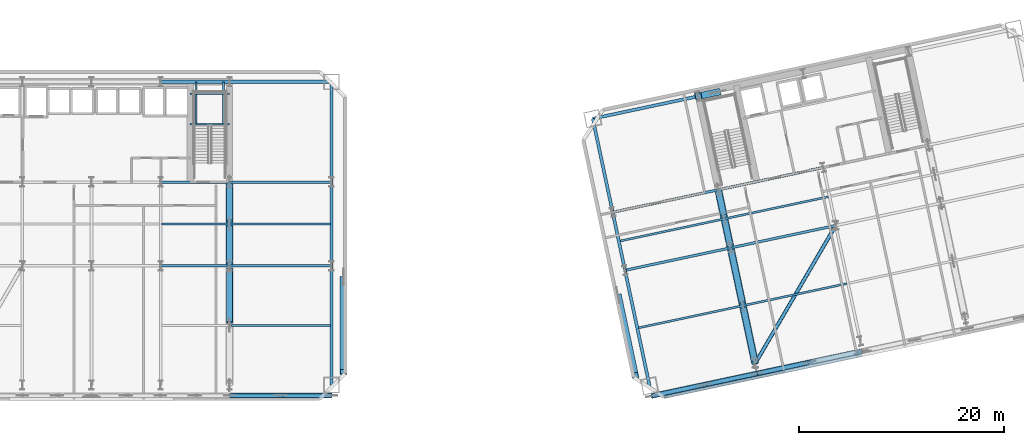
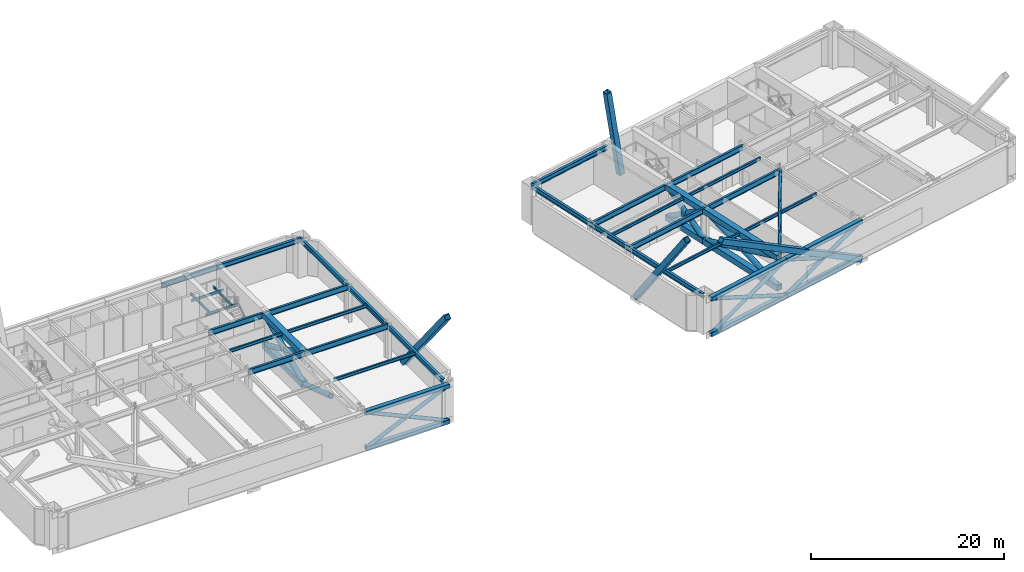
# One storey, part 4 of 17: 35 members, 28 beams.
"""IFC4 building model written with IfcOpenShell, lengths in metres."""

from ifc_helpers import new_model, si_unit, direction, frame, origin, origin_2d, place, context, subcontext, project, spatial, hollow_rectangle, hollow_circle, i_section, extrude, material, material_profile, profile_set, type_object, element, save


model = new_model("IFC4")

# Units and contexts
model_context = context("Model", 3, precision=1e-05, world=origin(), true_north=direction((0.0, 1.0)))
body_context = subcontext(model_context, "Body", "Model", "MODEL_VIEW")
ifc_project = project(units=[si_unit("LENGTHUNIT", "METRE"), si_unit("AREAUNIT", "SQUARE_METRE"), si_unit("VOLUMEUNIT", "CUBIC_METRE"), si_unit("PLANEANGLEUNIT", "RADIAN"), si_unit("MASSUNIT", "GRAM", prefix="KILO")], contexts=[model_context])

# Site, building, storey
site_placement = place(None, origin())
site = spatial("IfcSite", under=ifc_project, at=site_placement, CompositionType="ELEMENT")
building_placement = place(site_placement, origin())
building = spatial("IfcBuilding", under=site, at=building_placement, Name="Haevon Station Towers", CompositionType="ELEMENT")
storey_placement = place(building_placement, frame((0.0, 0.0, 81.89990234375)))
storey = spatial("IfcBuildingStorey", under=building, at=storey_placement, Name="L21", CompositionType="ELEMENT", Elevation=81.89990234375)

# Beams
ifc_material_1 = material(Name="Steel S355", Category="steel")
ifc_material_profile_1 = material_profile(ifc_material_1, i_section(OverallWidth=0.25, OverallDepth=0.699951171875, WebThickness=0.012939453125, FlangeThickness=0.02392578125, at=origin_2d()), Name="H-700x250x13x24")
ifc_profile_set_1 = profile_set([ifc_material_profile_1], Name="Steel S355")
beam_type_1 = type_object("IfcBeamType", Name="BM-G700", PredefinedType="BEAM", material=ifc_profile_set_1)
beam_1_placement = place(storey_placement, frame((44.25, 30.0, 4.2001953125), z_axis=(1.0, 0.0, 0.0), x_axis=(0.0, 1.0, 0.0)))
element("IfcBeam", 1, at=beam_1_placement, inside=storey, type_object=beam_type_1, Name="BM-T1U-L21-02-05", PredefinedType="BEAM", context=body_context, shape_type="SweptSolid", body=[
    extrude(i_section(OverallWidth=0.25, OverallDepth=0.699951171875, WebThickness=0.012939453125, FlangeThickness=0.02392578125, at=origin_2d()), origin(), (0.0, 0.0, 1.0), 6.75),
])
beam_2_placement = place(storey_placement, frame((51.0, 30.0, 4.2001953125), z_axis=(1.0, 0.0, 0.0), x_axis=(0.0, 1.0, 0.0)))
element("IfcBeam", 2, at=beam_2_placement, inside=storey, type_object=beam_type_1, Name="BM-T1U-L21-02-06", PredefinedType="BEAM", context=body_context, shape_type="SweptSolid", body=[
    extrude(i_section(OverallWidth=0.25, OverallDepth=0.699951171875, WebThickness=0.012939453125, FlangeThickness=0.02392578125, at=origin_2d()), origin(), (0.0, 0.0, 1.0), 9.949951171875),
])
beam_3_placement = place(storey_placement, frame((44.25, 38.199951171875, 4.2001953125), z_axis=(1.0, 0.0, 0.0), x_axis=(0.0, 1.0, 0.0)))
element("IfcBeam", 3, at=beam_3_placement, inside=storey, type_object=beam_type_1, Name="BM-T1U-L21-03-05", PredefinedType="BEAM", context=body_context, shape_type="SweptSolid", body=[
    extrude(i_section(OverallWidth=0.25, OverallDepth=0.699951171875, WebThickness=0.012939453125, FlangeThickness=0.02392578125, at=origin_2d()), origin(), (0.0, 0.0, 1.0), 6.75),
])
beam_4_placement = place(storey_placement, frame((51.0, 38.199951171875, 4.2001953125), z_axis=(1.0, 0.0, 0.0), x_axis=(0.0, 1.0, 0.0)))
element("IfcBeam", 4, at=beam_4_placement, inside=storey, type_object=beam_type_1, Name="BM-T1U-L21-03-06", PredefinedType="BEAM", context=body_context, shape_type="SweptSolid", body=[
    extrude(i_section(OverallWidth=0.25, OverallDepth=0.699951171875, WebThickness=0.012939453125, FlangeThickness=0.02392578125, at=origin_2d()), origin(), (0.0, 0.0, 1.0), 9.949951171875),
])
beam_5_placement = place(storey_placement, frame((89.638671875, 29.57568359375, 4.2001953125), z_axis=(0.978150204601, 0.207899440208, 0.0), x_axis=(-0.207899440208, 0.978150204601, 0.0)))
element("IfcBeam", 5, at=beam_5_placement, inside=storey, type_object=beam_type_1, Name="BM-T2U-L21-02-01", PredefinedType="BEAM", context=body_context, shape_type="SweptSolid", body=[
    extrude(i_section(OverallWidth=0.25, OverallDepth=0.699951171875, WebThickness=0.012939453125, FlangeThickness=0.02392578125, at=origin_2d()), origin(), (0.0, 0.0, 1.0), 10.550048828125),
])
beam_6_placement = place(storey_placement, frame((99.958251953125, 31.76904296875, 4.2001953125), z_axis=(0.978146794194, 0.207915485254, 0.0), x_axis=(-0.207915485254, 0.978146794194, 0.0)))
element("IfcBeam", 6, at=beam_6_placement, inside=storey, type_object=beam_type_1, Name="BM-T2U-L21-02-02", PredefinedType="BEAM", context=body_context, shape_type="SweptSolid", body=[
    extrude(i_section(OverallWidth=0.25, OverallDepth=0.699951171875, WebThickness=0.012939453125, FlangeThickness=0.02392578125, at=origin_2d()), origin(), (0.0, 0.0, 1.0), 10.5),
])
beam_7_placement = place(storey_placement, frame((88.432861328125, 35.2490234375, 4.2001953125), z_axis=(0.978150204601, 0.207899440208, 0.0), x_axis=(-0.207899440208, 0.978150204601, 0.0)))
element("IfcBeam", 7, at=beam_7_placement, inside=storey, type_object=beam_type_1, Name="BM-T2U-L21-03-01", PredefinedType="BEAM", context=body_context, shape_type="SweptSolid", body=[
    extrude(i_section(OverallWidth=0.25, OverallDepth=0.699951171875, WebThickness=0.012939453125, FlangeThickness=0.02392578125, at=origin_2d()), origin(), (0.0, 0.0, 1.0), 10.550048828125),
])
beam_8_placement = place(storey_placement, frame((98.75244140625, 37.4423828125, 4.2001953125), z_axis=(0.978146794194, 0.207915485254, 0.0), x_axis=(-0.207915485254, 0.978146794194, 0.0)))
element("IfcBeam", 8, at=beam_8_placement, inside=storey, type_object=beam_type_1, Name="BM-T2U-L21-03-02", PredefinedType="BEAM", context=body_context, shape_type="SweptSolid", body=[
    extrude(i_section(OverallWidth=0.25, OverallDepth=0.699951171875, WebThickness=0.012939453125, FlangeThickness=0.02392578125, at=origin_2d()), origin(), (0.0, 0.0, 1.0), 10.5),
])
ifc_material_profile_2 = material_profile(ifc_material_1, i_section(OverallWidth=0.199951171875, OverallDepth=0.39990234375, WebThickness=0.008056640625, FlangeThickness=0.012939453125, at=origin_2d()), Name="H-400x200x8x13")
ifc_profile_set_2 = profile_set([ifc_material_profile_2], Name="Steel S355")
beam_type_2 = type_object("IfcBeamType", Name="BM-J400", PredefinedType="JOIST", material=ifc_profile_set_2)
beam_9_placement = place(storey_placement, frame((51.110107421875, 24.175048828125, 4.35009765625), z_axis=(1.0, 0.0, 0.0), x_axis=(0.0, 1.0, 0.0)))
element("IfcBeam", 9, at=beam_9_placement, inside=storey, type_object=beam_type_2, Name="BM-T1J-L21-01-06", PredefinedType="JOIST", context=body_context, shape_type="SweptSolid", body=[
    extrude(i_section(OverallWidth=0.199951171875, OverallDepth=0.39990234375, WebThickness=0.008056640625, FlangeThickness=0.012939453125, at=origin_2d()), origin(), (0.0, 0.0, 1.0), 9.72998046875),
])
beam_10_placement = place(storey_placement, frame((44.360107421875, 34.10009765625, 4.35009765625), z_axis=(1.0, 0.0, 0.0), x_axis=(0.0, 1.0, 0.0)))
element("IfcBeam", 10, at=beam_10_placement, inside=storey, type_object=beam_type_2, Name="BM-T1J-L21-02-05", PredefinedType="JOIST", context=body_context, shape_type="SweptSolid", body=[
    extrude(i_section(OverallWidth=0.199951171875, OverallDepth=0.39990234375, WebThickness=0.008056640625, FlangeThickness=0.012939453125, at=origin_2d()), origin(), (0.0, 0.0, 1.0), 6.52978515625),
])
beam_11_placement = place(storey_placement, frame((51.110107421875, 34.10009765625, 4.35009765625), z_axis=(1.0, 0.0, 0.0), x_axis=(0.0, 1.0, 0.0)))
element("IfcBeam", 11, at=beam_11_placement, inside=storey, type_object=beam_type_2, Name="BM-T1J-L21-02-06", PredefinedType="JOIST", context=body_context, shape_type="SweptSolid", body=[
    extrude(i_section(OverallWidth=0.199951171875, OverallDepth=0.39990234375, WebThickness=0.008056640625, FlangeThickness=0.012939453125, at=origin_2d()), origin(), (0.0, 0.0, 1.0), 9.72998046875),
])
beam_12_placement = place(storey_placement, frame((90.947021484375, 23.94970703125, 4.35009765625), z_axis=(0.978147977643, 0.207909917591, 0.0), x_axis=(-0.207909917591, 0.978147977643, 0.0)))
element("IfcBeam", 12, at=beam_12_placement, inside=storey, type_object=beam_type_2, Name="BM-T2J-L21-01-01", PredefinedType="JOIST", context=body_context, shape_type="SweptSolid", body=[
    extrude(i_section(OverallWidth=0.199951171875, OverallDepth=0.39990234375, WebThickness=0.008056640625, FlangeThickness=0.012939453125, at=origin_2d()), origin(), (0.0, 0.0, 1.0), 10.330078125),
])
beam_13_placement = place(storey_placement, frame((101.2666015625, 26.143310546875, 4.35009765625), z_axis=(0.978149313139, 0.20790363442, 0.0), x_axis=(-0.20790363442, 0.978149313139, 0.0)))
element("IfcBeam", 13, at=beam_13_placement, inside=storey, type_object=beam_type_2, Name="BM-T2J-L21-01-02", PredefinedType="JOIST", context=body_context, shape_type="SweptSolid", body=[
    extrude(i_section(OverallWidth=0.199951171875, OverallDepth=0.39990234375, WebThickness=0.008056640625, FlangeThickness=0.012939453125, at=origin_2d()), origin(), (0.0, 0.0, 1.0), 10.27978515625),
])
beam_14_placement = place(storey_placement, frame((89.1435546875, 32.435302734375, 4.35009765625), z_axis=(0.978147977643, 0.207909917591, 0.0), x_axis=(-0.207909917591, 0.978147977643, 0.0)))
element("IfcBeam", 14, at=beam_14_placement, inside=storey, type_object=beam_type_2, Name="BM-T2J-L21-02-01", PredefinedType="JOIST", context=body_context, shape_type="SweptSolid", body=[
    extrude(i_section(OverallWidth=0.199951171875, OverallDepth=0.39990234375, WebThickness=0.008056640625, FlangeThickness=0.012939453125, at=origin_2d()), origin(), (0.0, 0.0, 1.0), 10.330078125),
])
beam_15_placement = place(storey_placement, frame((99.462890625, 34.628662109375, 4.35009765625), z_axis=(0.978150339653, 0.207898804801, 0.0), x_axis=(-0.207898804801, 0.978150339653, 0.0)))
element("IfcBeam", 15, at=beam_15_placement, inside=storey, type_object=beam_type_2, Name="BM-T2J-L21-02-02", PredefinedType="JOIST", context=body_context, shape_type="SweptSolid", body=[
    extrude(i_section(OverallWidth=0.199951171875, OverallDepth=0.39990234375, WebThickness=0.008056640625, FlangeThickness=0.012939453125, at=origin_2d()), origin(), (0.0, 0.0, 1.0), 10.280029296875),
])
ifc_material_profile_3 = material_profile(ifc_material_1, i_section(OverallWidth=0.14990234375, OverallDepth=0.300048828125, WebThickness=0.006591796875, FlangeThickness=0.009033203125, at=origin_2d()), Name="H-300x150x6.5x9")
ifc_profile_set_3 = profile_set([ifc_material_profile_3], Name="Steel S355")
beam_type_3 = type_object("IfcBeamType", Name="BM-LIN300", PredefinedType="LINTEL", material=ifc_profile_set_3)
for number, where, z_axis, x_axis, name in (
    (16, (47.14990234375, 43.864013671875, 2.050048828125), (1.0, 0.0, 0.0), (0.0, 1.0, 0.0), "BM-ST2L-L21-1-S"),
    (17, (47.14990234375, 46.820068359375, 2.050048828125), (1.0, 0.0, 0.0), (0.0, 1.0, 0.0), "BM-ST2L-L21-1-N"),
):
    element("IfcBeam", number, at=place(storey_placement, frame(where, z_axis=z_axis, x_axis=x_axis)), inside=storey, type_object=beam_type_3, Name=name, PredefinedType="LINTEL", context=body_context, shape_type="SweptSolid", body=[
        extrude(i_section(OverallWidth=0.14990234375, OverallDepth=0.300048828125, WebThickness=0.006591796875, FlangeThickness=0.009033203125, at=origin_2d()), origin(), (0.0, 0.0, 1.0), 3.85009765625),
    ])
for number, where, z_axis, x_axis, name in (
    (18, (47.75, 43.864013671875, 2.050048828125), (0.0, 1.0, 0.0), (-1.0, 0.0, 0.0), "BM-ST2L-L21-1-W"),
    (19, (50.39990234375, 43.864013671875, 2.050048828125), (0.0, 1.0, 0.0), (-1.0, 0.0, 0.0), "BM-ST2L-L21-1-E"),
):
    element("IfcBeam", number, at=place(storey_placement, frame(where, z_axis=z_axis, x_axis=x_axis)), inside=storey, type_object=beam_type_3, Name=name, PredefinedType="LINTEL", context=body_context, shape_type="SweptSolid", body=[
        extrude(i_section(OverallWidth=0.14990234375, OverallDepth=0.300048828125, WebThickness=0.006591796875, FlangeThickness=0.009033203125, at=origin_2d()), origin(), (0.0, 0.0, 1.0), 4.135986328125),
    ])
ifc_material_profile_4 = material_profile(ifc_material_1, i_section(OverallWidth=0.300048828125, OverallDepth=0.587890625, WebThickness=0.011962890625, FlangeThickness=0.02001953125, at=origin_2d()), Name="H-588x300x12x20")
ifc_profile_set_4 = profile_set([ifc_material_profile_4], Name="Steel S355")
beam_type_4 = type_object("IfcBeamType", Name="BM-SP588", PredefinedType="SPANDREL", material=ifc_profile_set_4)
beam_16_placement = place(storey_placement, frame((44.25, 48.0, 4.256103515625), z_axis=(1.0, 0.0, 0.0), x_axis=(0.0, 1.0, 0.0)))
element("IfcBeam", 20, at=beam_16_placement, inside=storey, type_object=beam_type_4, Name="BM-T1U-L21-04-05", PredefinedType="SPANDREL", context=body_context, shape_type="SweptSolid", body=[
    extrude(i_section(OverallWidth=0.300048828125, OverallDepth=0.587890625, WebThickness=0.011962890625, FlangeThickness=0.02001953125, at=origin_2d()), origin(), (0.0, 0.0, 1.0), 6.75),
])
beam_17_placement = place(storey_placement, frame((51.0, 48.0, 4.256103515625), z_axis=(1.0, 0.0, 0.0), x_axis=(0.0, 1.0, 0.0)))
element("IfcBeam", 21, at=beam_17_placement, inside=storey, type_object=beam_type_4, Name="BM-T1U-L21-04-06", PredefinedType="SPANDREL", context=body_context, shape_type="SweptSolid", body=[
    extrude(i_section(OverallWidth=0.300048828125, OverallDepth=0.587890625, WebThickness=0.011962890625, FlangeThickness=0.02001953125, at=origin_2d()), origin(), (0.0, 0.0, 1.0), 9.949951171875),
])
beam_18_placement = place(storey_placement, frame((60.949951171875, 18.35009765625, 4.256103515625), z_axis=(0.0, 1.0, 0.0), x_axis=(-1.0, 0.0, 0.0)))
element("IfcBeam", 22, at=beam_18_placement, inside=storey, type_object=beam_type_4, Name="BM-T1V-L21-07-01", PredefinedType="SPANDREL", context=body_context, shape_type="SweptSolid", body=[
    extrude(i_section(OverallWidth=0.300048828125, OverallDepth=0.587890625, WebThickness=0.011962890625, FlangeThickness=0.02001953125, at=origin_2d()), origin(), (0.0, 0.0, 1.0), 11.64990234375),
])
beam_19_placement = place(storey_placement, frame((60.949951171875, 30.0, 4.256103515625), z_axis=(0.0, 1.0, 0.0), x_axis=(-1.0, 0.0, 0.0)))
element("IfcBeam", 23, at=beam_19_placement, inside=storey, type_object=beam_type_4, Name="BM-T1V-L21-07-02", PredefinedType="SPANDREL", context=body_context, shape_type="SweptSolid", body=[
    extrude(i_section(OverallWidth=0.300048828125, OverallDepth=0.587890625, WebThickness=0.011962890625, FlangeThickness=0.02001953125, at=origin_2d()), origin(), (0.0, 0.0, 1.0), 8.199951171875),
])
beam_20_placement = place(storey_placement, frame((60.949951171875, 38.199951171875, 4.256103515625), z_axis=(0.0, 1.0, 0.0), x_axis=(-1.0, 0.0, 0.0)))
element("IfcBeam", 24, at=beam_20_placement, inside=storey, type_object=beam_type_4, Name="BM-T1V-L21-07-03", PredefinedType="SPANDREL", context=body_context, shape_type="SweptSolid", body=[
    extrude(i_section(OverallWidth=0.300048828125, OverallDepth=0.587890625, WebThickness=0.011962890625, FlangeThickness=0.02001953125, at=origin_2d()), origin(), (0.0, 0.0, 1.0), 9.800048828125),
])
beam_21_placement = place(storey_placement, frame((86.489013671875, 44.39453125, 4.256103515625), z_axis=(0.978144498026, 0.207926287375, 0.0), x_axis=(-0.207926287375, 0.978144498026, 0.0)))
element("IfcBeam", 25, at=beam_21_placement, inside=storey, type_object=beam_type_4, Name="BM-T2U-L21-04-01", PredefinedType="SPANDREL", context=body_context, shape_type="SweptSolid", body=[
    extrude(i_section(OverallWidth=0.300048828125, OverallDepth=0.587890625, WebThickness=0.011962890625, FlangeThickness=0.02001953125, at=origin_2d()), origin(), (0.0, 0.0, 1.0), 10.5498046875),
])
beam_22_placement = place(storey_placement, frame((92.040283203125, 18.278076171875, 4.256103515625), z_axis=(-0.207930804564, 0.978143537786, 0.0), x_axis=(-0.978143537786, -0.207930804564, 0.0)))
element("IfcBeam", 26, at=beam_22_placement, inside=storey, type_object=beam_type_4, Name="BM-T2V-L21-01-01", PredefinedType="SPANDREL", context=body_context, shape_type="SweptSolid", body=[
    extrude(i_section(OverallWidth=0.300048828125, OverallDepth=0.587890625, WebThickness=0.011962890625, FlangeThickness=0.02001953125, at=origin_2d()), origin(), (0.0, 0.0, 1.0), 11.550048828125),
])
beam_23_placement = place(storey_placement, frame((89.638671875, 29.57568359375, 4.256103515625), z_axis=(-0.207896009217, 0.97815093383, 0.0), x_axis=(-0.97815093383, -0.207896009217, 0.0)))
element("IfcBeam", 27, at=beam_23_placement, inside=storey, type_object=beam_type_4, Name="BM-T2V-L21-01-02", PredefinedType="SPANDREL", context=body_context, shape_type="SweptSolid", body=[
    extrude(i_section(OverallWidth=0.300048828125, OverallDepth=0.587890625, WebThickness=0.011962890625, FlangeThickness=0.02001953125, at=origin_2d()), origin(), (0.0, 0.0, 1.0), 5.800048828125),
])
beam_24_placement = place(storey_placement, frame((88.432861328125, 35.2490234375, 4.256103515625), z_axis=(-0.207902477038, 0.978149559138, 0.0), x_axis=(-0.978149559138, -0.207902477038, 0.0)))
element("IfcBeam", 28, at=beam_24_placement, inside=storey, type_object=beam_type_4, Name="BM-T2V-L21-01-03", PredefinedType="SPANDREL", context=body_context, shape_type="SweptSolid", body=[
    extrude(i_section(OverallWidth=0.300048828125, OverallDepth=0.587890625, WebThickness=0.011962890625, FlangeThickness=0.02001953125, at=origin_2d()), origin(), (0.0, 0.0, 1.0), 9.349853515625),
])

# Members
ifc_material_2 = material(Name="Steel S460", Category="steel")
ifc_material_profile_5 = material_profile(ifc_material_2, hollow_circle(Radius=0.228515625, WallThickness=0.02001953125, at=origin_2d()), Name="CHS-457x20")
ifc_profile_set_5 = profile_set([ifc_material_profile_5], Name="Steel S460")
member_type_1 = type_object("IfcMemberType", Name="BRBLT-457", PredefinedType="BRACE", material=ifc_profile_set_5)
member_1_placement = place(storey_placement, frame((51.0, 17.35009765625, -0.079833984375), z_axis=(0.910803749181, 0.0, 0.412839594126), x_axis=(0.0, 1.0, 0.0)))
element("IfcMember", 29, at=member_1_placement, inside=storey, type_object=member_type_1, Name="Tower 1 L21 Belt Truss Continuous Diagonal", PredefinedType="BRACE", context=body_context, shape_type="SweptSolid", body=[
    extrude(hollow_circle(Radius=0.228515625, WallThickness=0.02001953125, at=origin_2d()), origin(), (0.0, 0.0, 1.0), 10.92431640625),
])
for number, where, z_axis, x_axis, name in (
    (30, (51.0, 17.35009765625, 4.43017578125), (0.910798309419, 0.0, -0.41285159508), (0.0, 1.0, 0.0), "Tower 1 L21 Belt Truss Split Counter Diagonal Lower"),
    (31, (56.194091796875, 17.35009765625, 2.075927734375), (0.910798309419, 0.0, -0.41285159508), (0.0, 1.0, 0.0), "Tower 1 L21 Belt Truss Split Counter Diagonal Upper"),
):
    element("IfcMember", number, at=place(storey_placement, frame(where, z_axis=z_axis, x_axis=x_axis)), inside=storey, type_object=member_type_1, Name=name, PredefinedType="BRACE", context=body_context, shape_type="SweptSolid", body=[
        extrude(hollow_circle(Radius=0.228515625, WallThickness=0.02001953125, at=origin_2d()), origin(), (0.0, 0.0, 1.0), 5.2216796875),
    ])
member_2_placement = place(storey_placement, frame((92.248046875, 17.300048828125, -0.079833984375), z_axis=(0.899415275551, 0.191164845053, 0.393075265212), x_axis=(-0.207899440208, 0.978150204601, 0.0)))
element("IfcMember", 32, at=member_2_placement, inside=storey, type_object=member_type_1, Name="Tower 2 L21 Belt Truss Continuous Diagonal", PredefinedType="BRACE", context=body_context, shape_type="SweptSolid", body=[
    extrude(hollow_circle(Radius=0.228515625, WallThickness=0.02001953125, at=origin_2d()), origin(), (0.0, 0.0, 1.0), 11.4736328125),
])
for number, where, z_axis, x_axis, name in (
    (33, (92.248046875, 17.300048828125, 4.43017578125), (0.89940508782, 0.191136906998, -0.393112160569), (-0.207872622271, 0.978155904194, 0.0), "Tower 2 L21 Belt Truss Split Counter Diagonal Lower"),
    (34, (97.6240234375, 18.442626953125, 2.08056640625), (0.899421641453, 0.191175403468, -0.393055563495), (-0.207909018627, 0.978148168722, 0.0), "Tower 2 L21 Belt Truss Split Counter Diagonal Upper"),
):
    element("IfcMember", number, at=place(storey_placement, frame(where, z_axis=z_axis, x_axis=x_axis)), inside=storey, type_object=member_type_1, Name=name, PredefinedType="BRACE", context=body_context, shape_type="SweptSolid", body=[
        extrude(hollow_circle(Radius=0.228515625, WallThickness=0.02001953125, at=origin_2d()), origin(), (0.0, 0.0, 1.0), 5.496337890625),
    ])
member_3_placement = place(storey_placement, frame((102.567626953125, 19.493408203125, -0.079833984375), z_axis=(0.898747800325, 0.191038386196, 0.394660267077), x_axis=(-0.207915485254, 0.978146794194, 0.0)))
element("IfcMember", 35, at=member_3_placement, inside=storey, type_object=member_type_1, Name="Tower 2 L21 Belt Truss Continuous Diagonal", PredefinedType="BRACE", context=body_context, shape_type="SweptSolid", body=[
    extrude(hollow_circle(Radius=0.228515625, WallThickness=0.02001953125, at=origin_2d()), origin(), (0.0, 0.0, 1.0), 11.427490234375),
])
member_4_placement = place(storey_placement, frame((102.567626953125, 19.493408203125, 4.43017578125), z_axis=(0.898736383879, 0.191050622005, -0.394680341699), x_axis=(-0.207930753372, 0.978143548669, 0.0)))
element("IfcMember", 36, at=member_4_placement, inside=storey, type_object=member_type_1, Name="Tower 2 L21 Belt Truss Split Counter Diagonal Lower", PredefinedType="BRACE", context=body_context, shape_type="SweptSolid", body=[
    extrude(hollow_circle(Radius=0.228515625, WallThickness=0.02001953125, at=origin_2d()), origin(), (0.0, 0.0, 1.0), 5.47314453125),
])
ifc_material_profile_6 = material_profile(ifc_material_2, hollow_circle(Radius=0.3046875, WallThickness=0.02490234375, at=origin_2d()), Name="CHS-609.6x25")
ifc_profile_set_6 = profile_set([ifc_material_profile_6], Name="Steel S460")
member_type_2 = type_object("IfcMemberType", Name="BROUT-610", PredefinedType="BRACE", material=ifc_profile_set_6)
member_5_placement = place(storey_placement, frame((51.0, 24.47607421875, 2.175537109375), z_axis=(0.0, 0.949500125265, -0.313766652343), x_axis=(-1.0, 0.0, 0.0)))
element("IfcMember", 37, at=member_5_placement, inside=storey, type_object=member_type_2, Name="Tower 1 L21 Outrigger Truss Split Counter Brace Upper", PredefinedType="BRACE", context=body_context, shape_type="SweptSolid", body=[
    extrude(hollow_circle(Radius=0.3046875, WallThickness=0.02490234375, at=origin_2d()), origin(), (0.0, 0.0, 1.0), 5.53759765625),
])
member_6_placement = place(storey_placement, frame((51.0, 30.0, 0.35009765625), z_axis=(0.0, 0.905188491566, 0.425010346622), x_axis=(-1.0, 0.0, 0.0)))
element("IfcMember", 38, at=member_6_placement, inside=storey, type_object=member_type_2, Name="Tower 1 L21 Outrigger Truss Continuous Web Brace", PredefinedType="BRACE", context=body_context, shape_type="SweptSolid", body=[
    extrude(hollow_circle(Radius=0.3046875, WallThickness=0.02490234375, at=origin_2d()), origin(), (0.0, 0.0, 1.0), 9.058837890625),
])
for number, where, z_axis, x_axis, name in (
    (39, (51.0, 30.25341796875, 4.0810546875), (0.0, 0.905205263166, -0.42497462458), (-1.0, 0.0, 0.0), "Tower 1 L21 Outrigger Truss Split Counter Brace Lower"),
    (40, (51.0, 34.386962890625, 2.140380859375), (0.0, 0.905181378776, -0.425025495137), (-1.0, 0.0, 0.0), "Tower 1 L21 Outrigger Truss Split Counter Brace Upper"),
):
    element("IfcMember", number, at=place(storey_placement, frame(where, z_axis=z_axis, x_axis=x_axis)), inside=storey, type_object=member_type_2, Name=name, PredefinedType="BRACE", context=body_context, shape_type="SweptSolid", body=[
        extrude(hollow_circle(Radius=0.3046875, WallThickness=0.02490234375, at=origin_2d()), origin(), (0.0, 0.0, 1.0), 3.932373046875),
    ])
member_7_placement = place(storey_placement, frame((102.359619140625, 20.471435546875, 0.35009765625), z_axis=(-0.197240794922, 0.927950161146, 0.316234987386), x_axis=(-0.978147836697, -0.207910580697, 0.0)))
element("IfcMember", 41, at=member_7_placement, inside=storey, type_object=member_type_2, Name="Tower 2 L21 Outrigger Truss Continuous Web Brace", PredefinedType="BRACE", context=body_context, shape_type="SweptSolid", body=[
    extrude(hollow_circle(Radius=0.3046875, WallThickness=0.02490234375, at=origin_2d()), origin(), (0.0, 0.0, 1.0), 12.1748046875),
])
for number, where, z_axis, x_axis, name in (
    (42, (102.304443359375, 20.7314453125, 4.111572265625), (-0.197256486301, 0.927941468921, -0.31625070572), (-0.978144076716, -0.207928269327, 0.0), "Tower 2 L21 Outrigger Truss Split Counter Brace Lower"),
    (43, (101.096435546875, 26.41455078125, 2.1748046875), (-0.19725926014, 0.927954517718, -0.316210685044), (-0.978144076716, -0.207928269327, 0.0), "Tower 2 L21 Outrigger Truss Split Counter Brace Upper"),
):
    element("IfcMember", number, at=place(storey_placement, frame(where, z_axis=z_axis, x_axis=x_axis)), inside=storey, type_object=member_type_2, Name=name, PredefinedType="BRACE", context=body_context, shape_type="SweptSolid", body=[
        extrude(hollow_circle(Radius=0.3046875, WallThickness=0.02490234375, at=origin_2d()), origin(), (0.0, 0.0, 1.0), 5.490234375),
    ])
member_8_placement = place(storey_placement, frame((99.958251953125, 31.76904296875, 0.35009765625), z_axis=(-0.173208570885, 0.81494650136, 0.553047006044), x_axis=(-0.97815093383, -0.207896009217, 0.0)))
element("IfcMember", 44, at=member_8_placement, inside=storey, type_object=member_type_2, Name="Tower 2 L21 Outrigger Truss Continuous Web Brace", PredefinedType="BRACE", context=body_context, shape_type="SweptSolid", body=[
    extrude(hollow_circle(Radius=0.3046875, WallThickness=0.02490234375, at=origin_2d()), origin(), (0.0, 0.0, 1.0), 6.961669921875),
])
for number, where, z_axis, x_axis, name in (
    (45, (99.90966796875, 31.997314453125, 4.045166015625), (-0.173220092296, 0.814964129247, -0.553017420761), (-0.978149036179, -0.207904937463, 0.0), "Tower 2 L21 Outrigger Truss Split Counter Brace Lower"),
    (46, (99.30029296875, 34.864013671875, 2.099853515625), (-0.173211982079, 0.814925972383, -0.553076187157), (-0.978149036179, -0.207904937463, 0.0), "Tower 2 L21 Outrigger Truss Split Counter Brace Upper"),
):
    element("IfcMember", number, at=place(storey_placement, frame(where, z_axis=z_axis, x_axis=x_axis)), inside=storey, type_object=member_type_2, Name=name, PredefinedType="BRACE", context=body_context, shape_type="SweptSolid", body=[
        extrude(hollow_circle(Radius=0.3046875, WallThickness=0.02490234375, at=origin_2d()), origin(), (0.0, 0.0, 1.0), 2.8837890625),
    ])
ifc_material_profile_7 = material_profile(ifc_material_2, hollow_rectangle(XDim=0.5, YDim=0.5, WallThickness=0.02490234375, at=origin_2d()), Name="RHS-500x500x25")
ifc_profile_set_7 = profile_set([ifc_material_profile_7], Name="Steel S460")
member_type_3 = type_object("IfcMemberType", Name="CHBLT-500", PredefinedType="CHORD", material=ifc_profile_set_7)
for number, where, z_axis, x_axis, name in (
    (47, (51.0, 17.35009765625, -0.079833984375), (1.0, 0.0, 0.0), (0.0, 1.0, 0.0), "Tower 1 L21 Belt Truss Bottom Chord"),
    (48, (51.0, 17.35009765625, 4.43017578125), (1.0, 0.0, 0.0), (0.0, 1.0, 0.0), "Tower 1 L21 Belt Truss Top Chord"),
):
    element("IfcMember", number, at=place(storey_placement, frame(where, z_axis=z_axis, x_axis=x_axis)), inside=storey, type_object=member_type_3, Name=name, PredefinedType="CHORD", context=body_context, shape_type="SweptSolid", body=[
        extrude(hollow_rectangle(XDim=0.5, YDim=0.5, WallThickness=0.02490234375, at=origin_2d()), origin(), (0.0, 0.0, 1.0), 9.949951171875),
    ])
for number, where, z_axis, x_axis, name in (
    (49, (92.248046875, 17.300048828125, -0.079833984375), (0.978150204601, 0.207899440208, 0.0), (-0.207899440208, 0.978150204601, 0.0), "Tower 2 L21 Belt Truss Bottom Chord"),
    (50, (92.248046875, 17.300048828125, 4.43017578125), (0.978150204601, 0.207899440208, 0.0), (-0.207899440208, 0.978150204601, 0.0), "Tower 2 L21 Belt Truss Top Chord"),
):
    element("IfcMember", number, at=place(storey_placement, frame(where, z_axis=z_axis, x_axis=x_axis)), inside=storey, type_object=member_type_3, Name=name, PredefinedType="CHORD", context=body_context, shape_type="SweptSolid", body=[
        extrude(hollow_rectangle(XDim=0.5, YDim=0.5, WallThickness=0.02490234375, at=origin_2d()), origin(), (0.0, 0.0, 1.0), 10.550048828125),
    ])
for number, where, z_axis, x_axis, name in (
    (51, (102.567626953125, 19.493408203125, -0.079833984375), (0.978146794194, 0.207915485254, 0.0), (-0.207915485254, 0.978146794194, 0.0), "Tower 2 L21 Belt Truss Bottom Chord"),
    (52, (102.567626953125, 19.493408203125, 4.43017578125), (0.978146794194, 0.207915485254, 0.0), (-0.207915485254, 0.978146794194, 0.0), "Tower 2 L21 Belt Truss Top Chord"),
):
    element("IfcMember", number, at=place(storey_placement, frame(where, z_axis=z_axis, x_axis=x_axis)), inside=storey, type_object=member_type_3, Name=name, PredefinedType="CHORD", context=body_context, shape_type="SweptSolid", body=[
        extrude(hollow_rectangle(XDim=0.5, YDim=0.5, WallThickness=0.02490234375, at=origin_2d()), origin(), (0.0, 0.0, 1.0), 10.5),
    ])
ifc_material_profile_8 = material_profile(ifc_material_2, hollow_rectangle(XDim=0.699951171875, YDim=0.699951171875, WallThickness=0.034912109375, at=origin_2d()), Name="RHS-700x700x35")
ifc_profile_set_8 = profile_set([ifc_material_profile_8], Name="Steel S460")
member_type_4 = type_object("IfcMemberType", Name="CHOUT-700", PredefinedType="CHORD", material=ifc_profile_set_8)
for number, where, z_axis, x_axis, name in (
    (53, (51.0, 30.0, 0.35009765625), (0.0, 1.0, 0.0), (-1.0, 0.0, 0.0), "Tower 1 L21 Outrigger Truss Bottom Chord"),
    (54, (51.0, 30.0, 4.2001953125), (0.0, 1.0, 0.0), (-1.0, 0.0, 0.0), "Tower 1 L21 Outrigger Truss Top Chord"),
):
    element("IfcMember", number, at=place(storey_placement, frame(where, z_axis=z_axis, x_axis=x_axis)), inside=storey, type_object=member_type_4, Name=name, PredefinedType="CHORD", context=body_context, shape_type="SweptSolid", body=[
        extrude(hollow_rectangle(XDim=0.699951171875, YDim=0.699951171875, WallThickness=0.034912109375, at=origin_2d()), origin(), (0.0, 0.0, 1.0), 8.199951171875),
    ])
for number, where, z_axis, x_axis, name in (
    (55, (102.359619140625, 20.471435546875, 0.35009765625), (-0.207910580697, 0.978147836697, 0.0), (-0.978147836697, -0.207910580697, 0.0), "Tower 2 L21 Outrigger Truss Bottom Chord"),
    (56, (102.359619140625, 20.471435546875, 4.2001953125), (-0.207910580697, 0.978147836697, 0.0), (-0.978147836697, -0.207910580697, 0.0), "Tower 2 L21 Outrigger Truss Top Chord"),
):
    element("IfcMember", number, at=place(storey_placement, frame(where, z_axis=z_axis, x_axis=x_axis)), inside=storey, type_object=member_type_4, Name=name, PredefinedType="CHORD", context=body_context, shape_type="SweptSolid", body=[
        extrude(hollow_rectangle(XDim=0.699951171875, YDim=0.699951171875, WallThickness=0.034912109375, at=origin_2d()), origin(), (0.0, 0.0, 1.0), 11.550048828125),
    ])
for number, where, z_axis, x_axis, name in (
    (57, (99.958251953125, 31.76904296875, 0.35009765625), (-0.207896009217, 0.97815093383, 0.0), (-0.97815093383, -0.207896009217, 0.0), "Tower 2 L21 Outrigger Truss Bottom Chord"),
    (58, (99.958251953125, 31.76904296875, 4.2001953125), (-0.207896009217, 0.97815093383, 0.0), (-0.97815093383, -0.207896009217, 0.0), "Tower 2 L21 Outrigger Truss Top Chord"),
):
    element("IfcMember", number, at=place(storey_placement, frame(where, z_axis=z_axis, x_axis=x_axis)), inside=storey, type_object=member_type_4, Name=name, PredefinedType="CHORD", context=body_context, shape_type="SweptSolid", body=[
        extrude(hollow_rectangle(XDim=0.699951171875, YDim=0.699951171875, WallThickness=0.034912109375, at=origin_2d()), origin(), (0.0, 0.0, 1.0), 5.800048828125),
    ])
ifc_material_profile_9 = material_profile(ifc_material_2, hollow_rectangle(XDim=0.64990234375, YDim=0.64990234375, WallThickness=0.031982421875, at=origin_2d()), Name="RHS-650x650x32")
ifc_profile_set_9 = profile_set([ifc_material_profile_9], Name="Steel S460")
member_type_5 = type_object("IfcMemberType", Name="MB-650", PredefinedType="BRACE", material=ifc_profile_set_9)
member_9_placement = place(storey_placement, frame((62.1201171875, 28.7138671875, -0.022216796875), z_axis=(0.0, -0.626640336228, 0.779308596778), x_axis=(1.0, 0.0, 0.0)))
element("IfcMember", 59, at=member_9_placement, inside=storey, type_object=member_type_5, Name="BR-T1MB-T02-E-D2B", PredefinedType="BRACE", context=body_context, shape_type="SweptSolid", body=[
    extrude(hollow_rectangle(XDim=0.64990234375, YDim=0.64990234375, WallThickness=0.031982421875, at=origin_2d()), origin(), (0.0, 0.0, 1.0), 14.46435546875),
])
member_10_placement = place(storey_placement, frame((112.5888671875, 21.44970703125, -0.114990234375), z_axis=(-0.84464313358, -0.179528511814, 0.504328752245), x_axis=(0.207905122025, -0.978148996951, 0.0)))
element("IfcMember", 60, at=member_10_placement, inside=storey, type_object=member_type_5, Name="BR-T2MB-T02-S-D2B", PredefinedType="BRACE", context=body_context, shape_type="SweptSolid", body=[
    extrude(hollow_rectangle(XDim=0.64990234375, YDim=0.64990234375, WallThickness=0.031982421875, at=origin_2d()), origin(), (0.0, 0.0, 1.0), 22.534912109375),
])
member_11_placement = place(storey_placement, frame((98.636962890625, 46.976806640625, 0.047607421875), z_axis=(-0.161007604032, -0.034222176985, 0.98635966769), x_axis=(0.207905612443, -0.978148892712, 0.0)))
element("IfcMember", 61, at=member_11_placement, inside=storey, type_object=member_type_5, Name="BR-T2MB-T02-N-D2B", PredefinedType="BRACE", context=body_context, shape_type="SweptSolid", body=[
    extrude(hollow_rectangle(XDim=0.64990234375, YDim=0.64990234375, WallThickness=0.031982421875, at=origin_2d()), origin(), (0.0, 0.0, 1.0), 11.357421875),
])
member_12_placement = place(storey_placement, frame((88.9970703125, 26.9677734375, -0.00830078125), z_axis=(0.118733714027, -0.558618092937, 0.820882532033), x_axis=(0.978149105981, 0.207904609059, 0.0)))
element("IfcMember", 62, at=member_12_placement, inside=storey, type_object=member_type_5, Name="BR-T2MB-T02-W-D2B", PredefinedType="BRACE", context=body_context, shape_type="SweptSolid", body=[
    extrude(hollow_rectangle(XDim=0.64990234375, YDim=0.64990234375, WallThickness=0.031982421875, at=origin_2d()), origin(), (0.0, 0.0, 1.0), 13.71484375),
])
ifc_material_profile_10 = material_profile(ifc_material_1, hollow_circle(Radius=0.177734375, WallThickness=0.01611328125, at=origin_2d()), Name="CHS-355.6x16")
ifc_profile_set_10 = profile_set([ifc_material_profile_10], Name="Steel S355")
member_type_6 = type_object("IfcMemberType", Name="STTIE-356", PredefinedType="STRUT", material=ifc_profile_set_10)
member_13_placement = place(storey_placement, frame((102.359619140625, 20.471435546875, 4.39013671875), z_axis=(0.504128708777, 0.863628534144, 0.0), x_axis=(-0.863628534144, 0.504128708777, 0.0)))
element("IfcMember", 63, at=member_13_placement, inside=storey, type_object=member_type_6, Name="ST-T2TIE-L21", PredefinedType="STRUT", context=body_context, shape_type="SweptSolid", body=[
    extrude(hollow_circle(Radius=0.177734375, WallThickness=0.01611328125, at=origin_2d()), origin(), (0.0, 0.0, 1.0), 15.609375),
])

save(model, "model.ifc")
